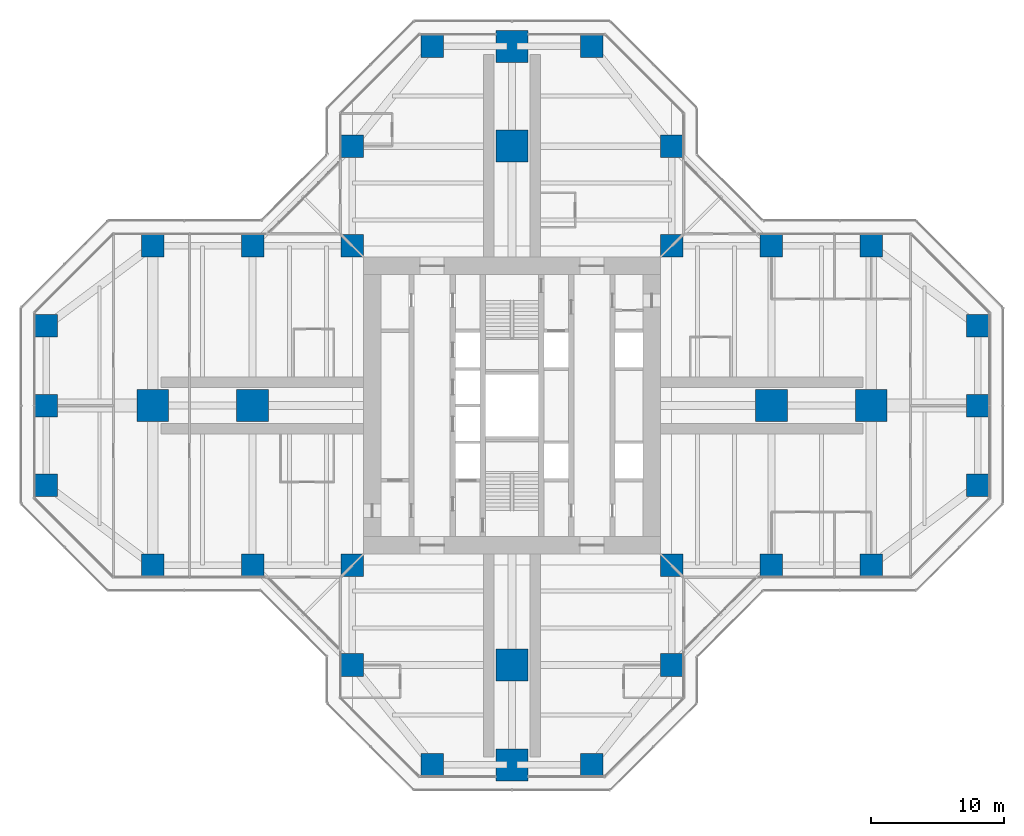
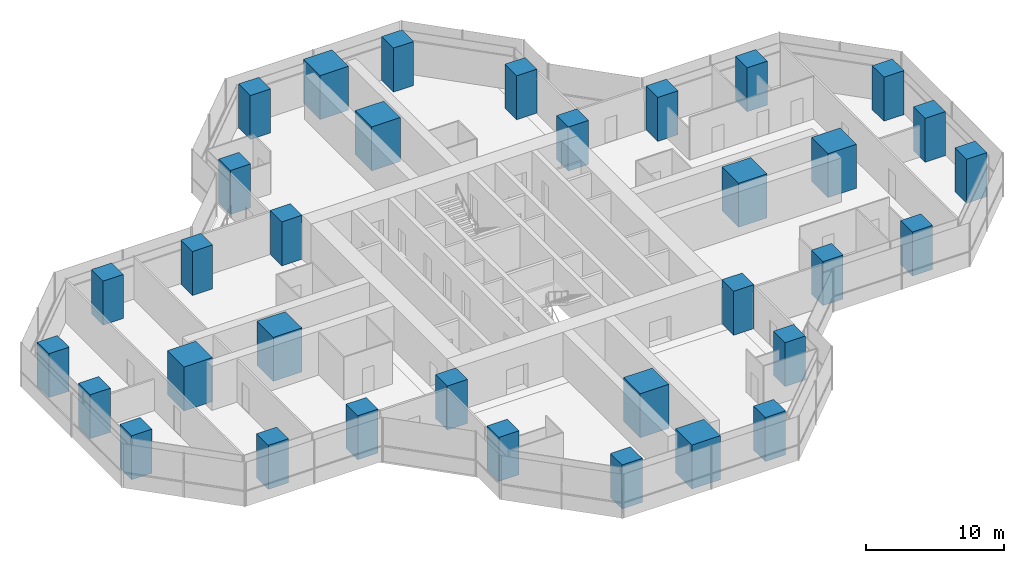
# One storey, part 1 of 20: 34 columns.
"""IFC4 building model written with IfcOpenShell, lengths in metres."""

from ifc_helpers import new_model, si_unit, direction, frame, origin, origin_2d, place, context, subcontext, project, spatial, rectangle, extrude, material, material_profile, profile_set, type_object, element, save


model = new_model("IFC4")

# Units and contexts
model_context = context("Model", 3, precision=1e-05, world=origin(), true_north=direction((0.0, 1.0)))
body_context = subcontext(model_context, "Body", "Model", "MODEL_VIEW")
ifc_project = project(units=[si_unit("LENGTHUNIT", "METRE"), si_unit("AREAUNIT", "SQUARE_METRE"), si_unit("VOLUMEUNIT", "CUBIC_METRE"), si_unit("PLANEANGLEUNIT", "RADIAN"), si_unit("MASSUNIT", "GRAM", prefix="KILO")], contexts=[model_context])

# Site, building, storey
site_placement = place(None, origin())
site = spatial("IfcSite", under=ifc_project, at=site_placement, CompositionType="ELEMENT")
building_placement = place(site_placement, origin())
building = spatial("IfcBuilding", under=site, at=building_placement, Name="Mizan Broadcast Tower", CompositionType="ELEMENT")
storey_placement = place(building_placement, frame((0.0, 0.0, 155.39990234375)))
storey = spatial("IfcBuildingStorey", under=building, at=storey_placement, Name="L35", CompositionType="ELEMENT", Elevation=155.39990234375)

# Columns
ifc_material_1 = material(Name="Concrete C70/85", Category="concrete")
ifc_material_profile_1 = material_profile(ifc_material_1, rectangle(XDim=1.699951171875, YDim=1.699951171875, at=origin_2d()), Name="RC 1700x1700")
ifc_profile_set_1 = profile_set([ifc_material_profile_1], Name="Concrete C70/85")
column_type_1 = type_object("IfcColumnType", Name="RC COLUMN 1700x1700 C70/85", PredefinedType="COLUMN", material=ifc_profile_set_1)
for number, where, z_axis, x_axis, name in (
    (1, (-6.0, -27.0, 0.0), (0.0, 0.0, 1.0), (1.0, 0.0, 0.0), "Column 5/B L35"),
    (2, (6.0, -27.0, 0.0), (0.0, 0.0, 1.0), (1.0, 0.0, 0.0), "Column 7/B L35"),
    (3, (-12.0, -19.5, 0.0), (0.0, 0.0, 1.0), (1.0, 0.0, 0.0), "Column 4/C L35"),
    (4, (12.0, -19.5, 0.0), (0.0, 0.0, 1.0), (1.0, 0.0, 0.0), "Column 8/C L35"),
    (5, (-27.0, -12.0, 0.0), (0.0, 0.0, 1.0), (1.0, 0.0, 0.0), "Column 2/D L35"),
    (6, (-19.5, -12.0, 0.0), (0.0, 0.0, 1.0), (1.0, 0.0, 0.0), "Column 3/D L35"),
    (7, (-12.0, -12.0, 0.0), (0.0, 0.0, 1.0), (1.0, 0.0, 0.0), "Column 4/D L35"),
    (8, (12.0, -12.0, 0.0), (0.0, 0.0, 1.0), (1.0, 0.0, 0.0), "Column 8/D L35"),
    (9, (19.5, -12.0, 0.0), (0.0, 0.0, 1.0), (1.0, 0.0, 0.0), "Column 9/D L35"),
    (10, (27.0, -12.0, 0.0), (0.0, 0.0, 1.0), (1.0, 0.0, 0.0), "Column 10/D L35"),
    (11, (-35.0, -6.0, 0.0), (0.0, 0.0, 1.0), (1.0, 0.0, 0.0), "Column 1/E L35"),
    (12, (35.0, -6.0, 0.0), (0.0, 0.0, 1.0), (1.0, 0.0, 0.0), "Column 11/E L35"),
    (13, (-35.0, 0.0, 0.0), (0.0, 0.0, 1.0), (1.0, 0.0, 0.0), "Column 1/F L35"),
    (14, (35.0, 0.0, 0.0), (0.0, 0.0, 1.0), (1.0, 0.0, 0.0), "Column 11/F L35"),
    (15, (-35.0, 6.0, 0.0), (0.0, 0.0, 1.0), (1.0, 0.0, 0.0), "Column 1/G L35"),
    (16, (35.0, 6.0, 0.0), (0.0, 0.0, 1.0), (1.0, 0.0, 0.0), "Column 11/G L35"),
    (17, (-27.0, 12.0, 0.0), (0.0, 0.0, 1.0), (1.0, 0.0, 0.0), "Column 2/H L35"),
    (18, (-19.5, 12.0, 0.0), (0.0, 0.0, 1.0), (1.0, 0.0, 0.0), "Column 3/H L35"),
    (19, (-12.0, 12.0, 0.0), (0.0, 0.0, 1.0), (1.0, 0.0, 0.0), "Column 4/H L35"),
    (20, (12.0, 12.0, 0.0), (0.0, 0.0, 1.0), (1.0, 0.0, 0.0), "Column 8/H L35"),
    (21, (19.5, 12.0, 0.0), (0.0, 0.0, 1.0), (1.0, 0.0, 0.0), "Column 9/H L35"),
    (22, (27.0, 12.0, 0.0), (0.0, 0.0, 1.0), (1.0, 0.0, 0.0), "Column 10/H L35"),
    (23, (-12.0, 19.5, 0.0), (0.0, 0.0, 1.0), (1.0, 0.0, 0.0), "Column 4/J L35"),
    (24, (12.0, 19.5, 0.0), (0.0, 0.0, 1.0), (1.0, 0.0, 0.0), "Column 8/J L35"),
    (25, (-6.0, 27.0, 0.0), (0.0, 0.0, 1.0), (1.0, 0.0, 0.0), "Column 5/K L35"),
    (26, (6.0, 27.0, 0.0), (0.0, 0.0, 1.0), (1.0, 0.0, 0.0), "Column 7/K L35"),
):
    element("IfcColumn", number, at=place(storey_placement, frame(where, z_axis=z_axis, x_axis=x_axis)), inside=storey, type_object=column_type_1, Name=name, PredefinedType="COLUMN", context=body_context, shape_type="SweptSolid", body=[
        extrude(rectangle(XDim=1.699951171875, YDim=1.699951171875, at=origin_2d()), origin(), (0.0, 0.0, 1.0), 3.900146484375),
    ])
ifc_material_2 = material(Name="Concrete C70/85", Category="concrete")
ifc_material_profile_2 = material_profile(ifc_material_2, rectangle(XDim=2.39990234375, YDim=2.39990234375, at=origin_2d()), Name="RC 2400x2400")
ifc_profile_set_2 = profile_set([ifc_material_profile_2], Name="Concrete C70/85")
column_type_2 = type_object("IfcColumnType", Name="RC COLUMN 2400x2400 C70/85", PredefinedType="COLUMN", material=ifc_profile_set_2)
for number, where, z_axis, x_axis, name in (
    (27, (0.0, -27.0, 0.0), (0.0, 0.0, 1.0), (1.0, 0.0, 0.0), "Column 6/B L35"),
    (28, (0.0, -19.5, 0.0), (0.0, 0.0, 1.0), (1.0, 0.0, 0.0), "Column 6/C L35"),
    (29, (-27.0, 0.0, 0.0), (0.0, 0.0, 1.0), (1.0, 0.0, 0.0), "Column 2/F L35"),
    (30, (-19.5, 0.0, 0.0), (0.0, 0.0, 1.0), (1.0, 0.0, 0.0), "Column 3/F L35"),
    (31, (19.5, 0.0, 0.0), (0.0, 0.0, 1.0), (1.0, 0.0, 0.0), "Column 9/F L35"),
    (32, (27.0, 0.0, 0.0), (0.0, 0.0, 1.0), (1.0, 0.0, 0.0), "Column 10/F L35"),
    (33, (0.0, 19.5, 0.0), (0.0, 0.0, 1.0), (1.0, 0.0, 0.0), "Column 6/J L35"),
    (34, (0.0, 27.0, 0.0), (0.0, 0.0, 1.0), (1.0, 0.0, 0.0), "Column 6/K L35"),
):
    element("IfcColumn", number, at=place(storey_placement, frame(where, z_axis=z_axis, x_axis=x_axis)), inside=storey, type_object=column_type_2, Name=name, PredefinedType="COLUMN", context=body_context, shape_type="SweptSolid", body=[
        extrude(rectangle(XDim=2.39990234375, YDim=2.39990234375, at=origin_2d()), origin(), (0.0, 0.0, 1.0), 3.900146484375),
    ])

save(model, "model.ifc")
